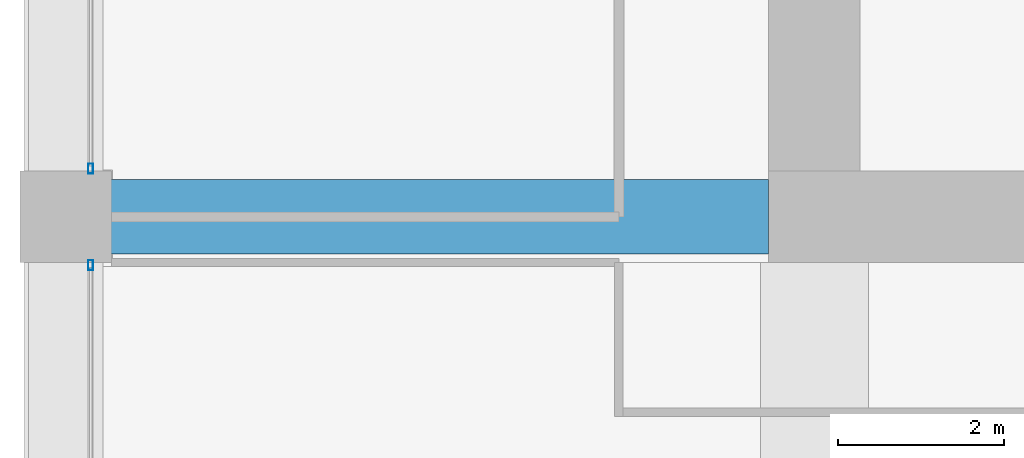
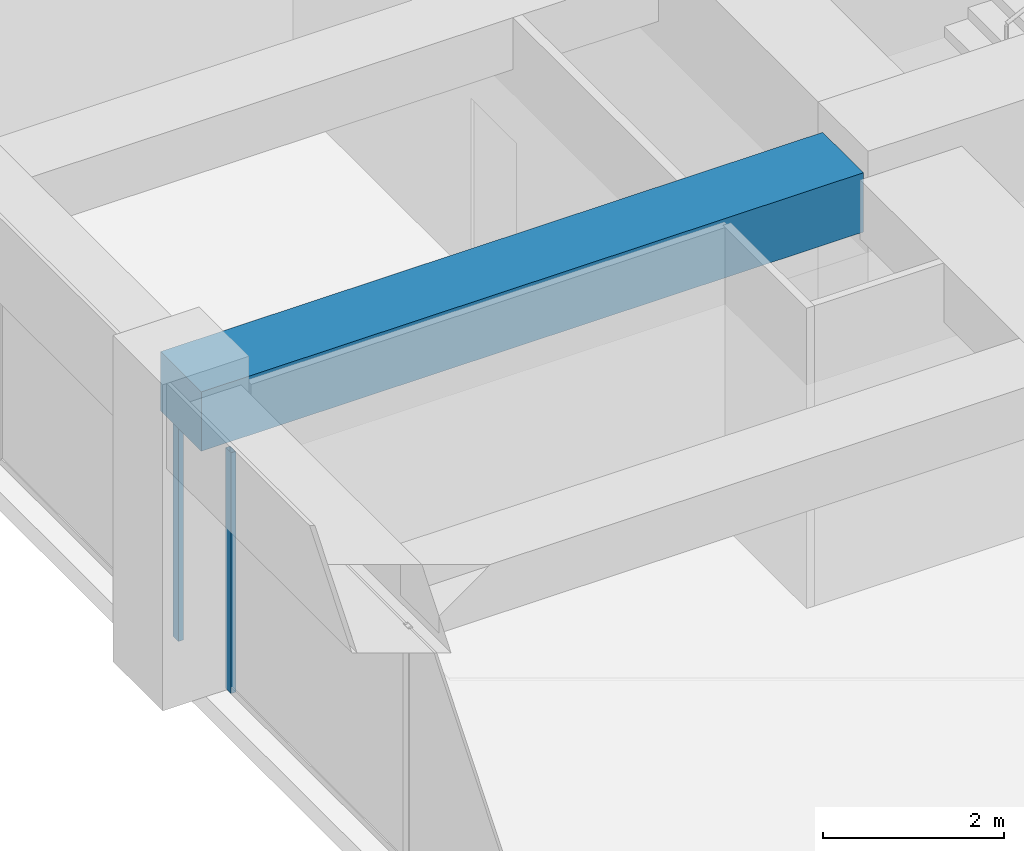
# One storey, part 13 of 44: 2 members, 1 beam, 2 elements without a shape of their own.
"""IFC4 building model written with IfcOpenShell, lengths in metres."""

from ifc_helpers import new_model, si_unit, direction, frame, origin, origin_2d, place, context, subcontext, project, spatial, rectangle, hollow_rectangle, extrude, material, material_profile, profile_set, type_object, element, aggregate, save


model = new_model("IFC4")

# Units and contexts
model_context = context("Model", 3, precision=1e-05, world=origin(), true_north=direction((0.0, 1.0)))
body_context = subcontext(model_context, "Body", "Model", "MODEL_VIEW")
ifc_project = project(units=[si_unit("LENGTHUNIT", "METRE"), si_unit("AREAUNIT", "SQUARE_METRE"), si_unit("VOLUMEUNIT", "CUBIC_METRE"), si_unit("PLANEANGLEUNIT", "RADIAN"), si_unit("MASSUNIT", "GRAM", prefix="KILO")], contexts=[model_context])

# Site, building, storey
site_placement = place(None, origin())
site = spatial("IfcSite", under=ifc_project, at=site_placement, CompositionType="ELEMENT")
building_placement = place(site_placement, origin())
building = spatial("IfcBuilding", under=site, at=building_placement, Name="Zorevar Civic Tower", CompositionType="ELEMENT")
storey_placement = place(building_placement, frame((0.0, 0.0, 307.39990234375)))
storey = spatial("IfcBuildingStorey", under=building, at=storey_placement, Name="L75", CompositionType="ELEMENT", Elevation=307.39990234375)

# Beam
ifc_material_1 = material(Name="Concrete C50/60", Category="concrete")
ifc_material_profile_1 = material_profile(ifc_material_1, rectangle(XDim=0.89990234375, YDim=0.800048828125, at=origin_2d()), Name="RC 900x800")
ifc_profile_set_1 = profile_set([ifc_material_profile_1], Name="Concrete C50/60")
beam_type = type_object("IfcBeamType", Name="Beam RC 900x800", PredefinedType="BEAM", material=ifc_profile_set_1)
beam_placement = place(storey_placement, frame((9.0, 18.0, 3.650146484375), z_axis=(1.0, 0.0, 0.0), x_axis=(0.0, 1.0, 0.0)))
element("IfcBeam", 1, at=beam_placement, inside=storey, type_object=beam_type, Name="Girder RF", PredefinedType="BEAM", context=body_context, shape_type="SweptSolid", body=[
    extrude(rectangle(XDim=0.89990234375, YDim=0.800048828125, at=origin_2d()), origin(), (0.0, 0.0, 1.0), 8.449951171875),
])

# Curtain wall, member
ifc_material_2 = material(Name="Dark grey solar-control glass in black aluminium frame", Category="aluminium")
curtain_wall_type = type_object("IfcCurtainWallType", Name="Curtain wall CW5 top zone", PredefinedType="NOTDEFINED", material=ifc_material_2)
curtain_wall_1_placement = place(storey_placement, origin())
curtain_wall_1 = element("IfcCurtainWall", 2, at=curtain_wall_1_placement, inside=storey, type_object=curtain_wall_type, Name="CW5 L75", PredefinedType="NOTDEFINED")
ifc_material_3 = material(Name="Aluminium, black anodised", Category="aluminium")
ifc_material_profile_2 = material_profile(ifc_material_3, hollow_rectangle(XDim=0.06005859375, YDim=0.1201171875, WallThickness=0.0029296875, at=origin_2d()), Name="AL 120x60x3")
ifc_profile_set_2 = profile_set([ifc_material_profile_2], Name="Aluminium, black anodised")
member_type = type_object("IfcMemberType", Name="CW5 mullion AL 120x60x3", PredefinedType="MULLION", material=ifc_profile_set_2)
member_1_placement = place(storey_placement, frame((9.300048828125, 17.419921875, 0.0), z_axis=(0.0, 0.0, 1.0), x_axis=(-1.0, 0.0, 0.0)))
member_1 = element("IfcMember", 3, at=member_1_placement, type_object=member_type, Name="CW5 mullion 3", PredefinedType="MULLION", context=body_context, shape_type="SweptSolid", body=[
    extrude(hollow_rectangle(XDim=0.06005859375, YDim=0.1201171875, WallThickness=0.0029296875, at=origin_2d()), origin(), (0.0, 0.0, 1.0), 3.25),
])
aggregate(curtain_wall_1, [member_1])

curtain_wall_2_placement = place(storey_placement, origin())
curtain_wall_2 = element("IfcCurtainWall", 4, at=curtain_wall_2_placement, inside=storey, type_object=curtain_wall_type, Name="CW5 L75", PredefinedType="NOTDEFINED")
member_2_placement = place(storey_placement, frame((9.300048828125, 18.580078125, 0.0), z_axis=(0.0, 0.0, 1.0), x_axis=(-1.0, 0.0, 0.0)))
member_2 = element("IfcMember", 5, at=member_2_placement, type_object=member_type, Name="CW5 mullion 1", PredefinedType="MULLION", context=body_context, shape_type="SweptSolid", body=[
    extrude(hollow_rectangle(XDim=0.06005859375, YDim=0.1201171875, WallThickness=0.0029296875, at=origin_2d()), origin(), (0.0, 0.0, 1.0), 3.25),
])
aggregate(curtain_wall_2, [member_2])

save(model, "model.ifc")
